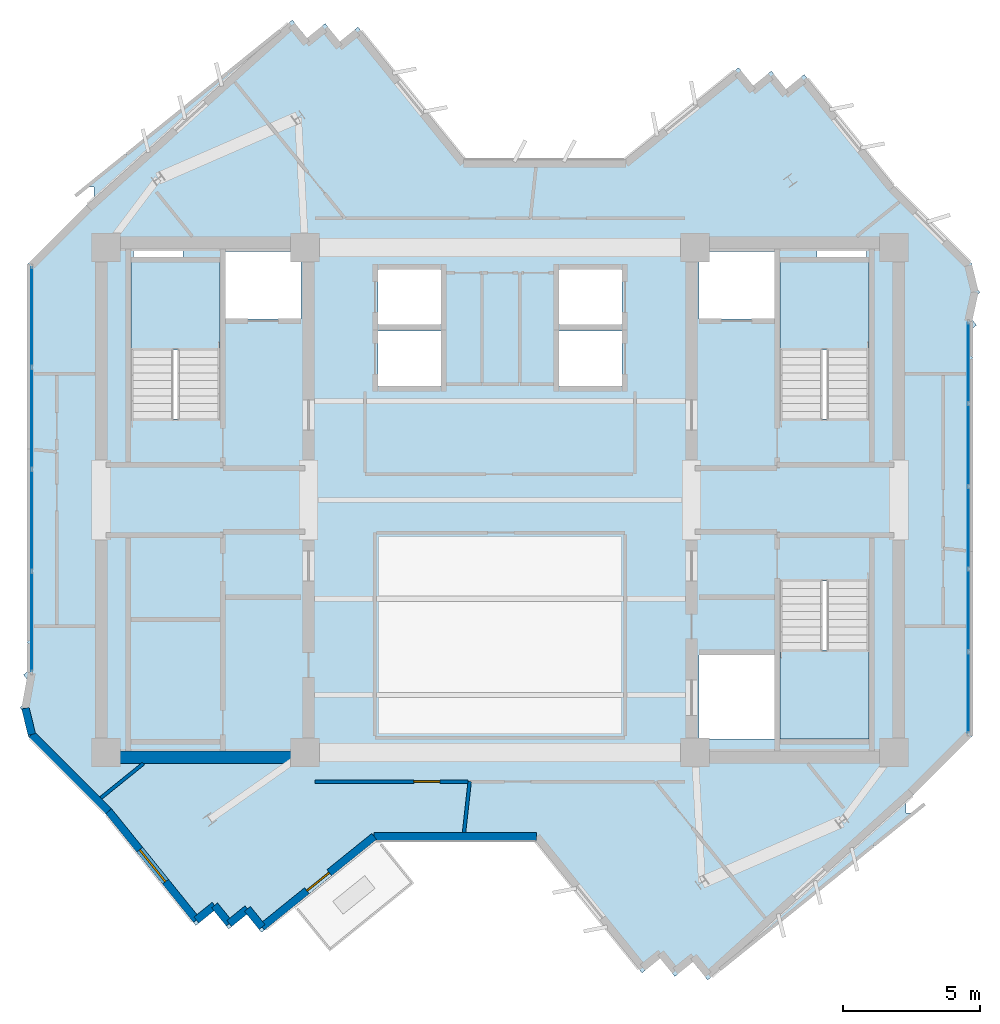
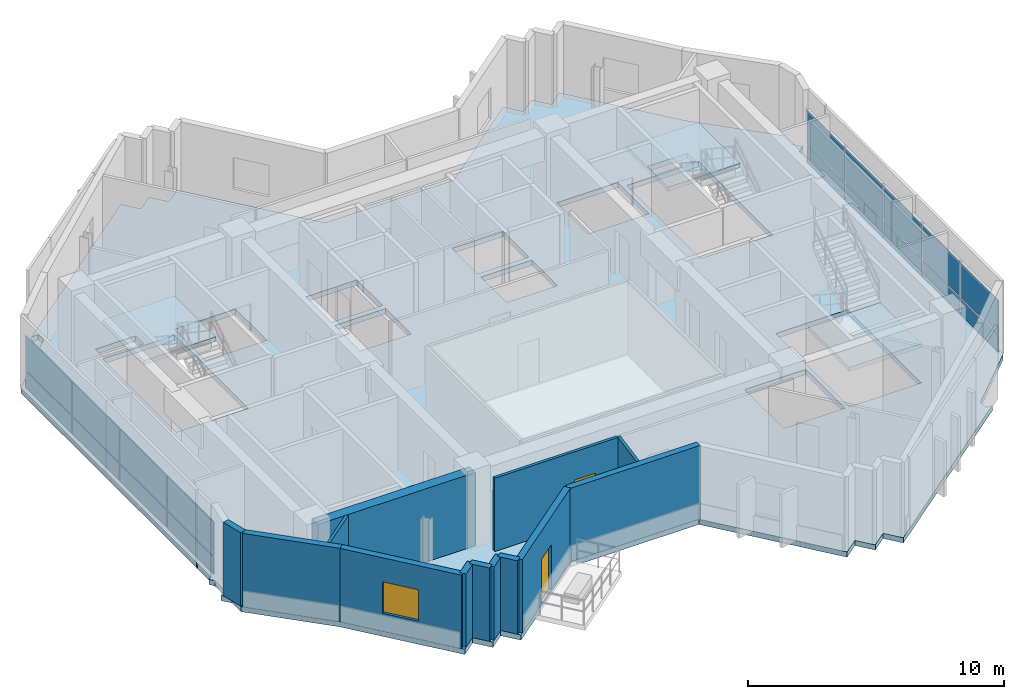
# One storey, part 5 of 11: 18 plates, 13 walls, 4 slabs, 2 doors, 1 window, 3 openings, 5 elements without a shape of their own.
"""IFC4 building model written with IfcOpenShell, lengths in metres."""

from ifc_helpers import new_model, si_unit, direction, frame, frame_2d, origin, origin_2d, place, context, subcontext, project, spatial, polyline, rectangle, outline, extrude, source, transform, mapped, material, layer, layer_set, type_object, element, fill, aggregate, save


model = new_model("IFC4")

# Units and contexts
model_context = context("Model", 3, precision=1e-05, world=origin(), true_north=direction((0.0, 1.0)))
body_context = subcontext(model_context, "Body", "Model", "MODEL_VIEW")
ifc_project = project(units=[si_unit("LENGTHUNIT", "METRE"), si_unit("AREAUNIT", "SQUARE_METRE"), si_unit("VOLUMEUNIT", "CUBIC_METRE"), si_unit("PLANEANGLEUNIT", "RADIAN"), si_unit("MASSUNIT", "GRAM", prefix="KILO")], contexts=[model_context])

# Site, building, storey
site_placement = place(None, origin())
site = spatial("IfcSite", under=ifc_project, at=site_placement, CompositionType="ELEMENT")
building_placement = place(site_placement, origin())
building = spatial("IfcBuilding", under=site, at=building_placement, Name="Zahravan Cultural Tower", CompositionType="ELEMENT")
storey_placement = place(building_placement, frame((0.0, 0.0, 284.10009765625)))
storey = spatial("IfcBuildingStorey", under=building, at=storey_placement, Name="L68", CompositionType="ELEMENT", Elevation=284.10009765625)

# Stair, slab
ifc_material_1 = material(Name="Concrete C45/55", Category="concrete")
stair_type = type_object("IfcStairType", Name="STR-DL-1550-375", PredefinedType="HALF_TURN_STAIR", material=ifc_material_1)
stair_1_placement = place(storey_placement, origin())
stair_1 = element("IfcStair", 1, at=stair_1_placement, inside=storey, type_object=stair_type, Name="L68 West Core North Exit Stair ST-W1", PredefinedType="HALF_TURN_STAIR")
ifc_layer_1 = layer(ifc_material_1, 0.199951171875)
ifc_layer_set_1 = layer_set([ifc_layer_1], Name="Concrete C45/55")
slab_type_1 = type_object("IfcSlabType", Name="SL-STAIR-LND200", PredefinedType="LANDING", material=ifc_layer_set_1)
slab_1_placement = place(storey_placement, frame((0.0, 0.0, 1.6748046875)))
slab_1 = element("IfcSlab", 2, at=slab_1_placement, type_object=slab_type_1, Name="ST-W1 landing 1", PredefinedType="LANDING", context=body_context, shape_type="SweptSolid", body=[
    extrude(outline(polyline([(25.800048828125, 32.469970703125), (25.800048828125, 35.699951171875), (22.550048828125, 35.699951171875), (22.550048828125, 32.469970703125), (25.800048828125, 32.469970703125)])), origin(), (0.0, 0.0, 1.0), 0.2001953125),
])
aggregate(stair_1, [slab_1])

stair_2_placement = place(storey_placement, origin())
stair_2 = element("IfcStair", 3, at=stair_2_placement, inside=storey, type_object=stair_type, Name="L68 East Core North Exit Stair ST-E1", PredefinedType="HALF_TURN_STAIR")
slab_2_placement = place(storey_placement, frame((0.0, 0.0, 1.6748046875)))
slab_2 = element("IfcSlab", 4, at=slab_2_placement, type_object=slab_type_1, Name="ST-E1 landing 1", PredefinedType="LANDING", context=body_context, shape_type="SweptSolid", body=[
    extrude(outline(polyline([(49.449951171875, 32.469970703125), (49.449951171875, 35.699951171875), (46.199951171875, 35.699951171875), (46.199951171875, 32.469970703125), (49.449951171875, 32.469970703125)])), origin(), (0.0, 0.0, 1.0), 0.2001953125),
])
aggregate(stair_2, [slab_2])

stair_3_placement = place(storey_placement, origin())
stair_3 = element("IfcStair", 5, at=stair_3_placement, inside=storey, type_object=stair_type, Name="L68 East Core South Exit Stair ST-E2", PredefinedType="HALF_TURN_STAIR")
slab_3_placement = place(storey_placement, frame((0.0, 0.0, 1.6748046875)))
slab_3 = element("IfcSlab", 6, at=slab_3_placement, type_object=slab_type_1, Name="ST-E2 landing 1", PredefinedType="LANDING", context=body_context, shape_type="SweptSolid", body=[
    extrude(outline(polyline([(46.199951171875, 21.530029296875), (46.199951171875, 18.300048828125), (49.449951171875, 18.300048828125), (49.449951171875, 21.530029296875), (46.199951171875, 21.530029296875)])), origin(), (0.0, 0.0, 1.0), 0.2001953125),
])
aggregate(stair_3, [slab_3])

# Slab
ifc_material_2 = material(Name="Concrete C40/50", Category="concrete")
ifc_layer_2 = layer(ifc_material_2, 0.25)
ifc_layer_set_2 = layer_set([ifc_layer_2], Name="Concrete C40/50")
slab_type_2 = type_object("IfcSlabType", Name="SL-TYP-250", PredefinedType="FLOOR", material=ifc_layer_set_2)
slab_4_placement = place(storey_placement, frame((0.0, 0.0, -0.25)))
element("IfcSlab", 7, at=slab_4_placement, inside=storey, type_object=slab_type_2, Name="L68 Structural Floor Slab", PredefinedType="FLOOR", context=body_context, shape_type="SweptSolid", body=[
    extrude(outline(polyline([(20.892822265625, 38.39990234375), (21.199951171875, 38.39990234375), (21.199951171875, 37.974609375), (20.939697265625, 37.739501953125), (18.800048828125, 35.60009765625), (18.800048828125, 21.852783203125), (18.765869140625, 21.8251953125), (18.800048828125, 21.78271484375), (18.800048828125, 20.76025390625), (18.638427734375, 20.6298828125), (18.800048828125, 20.4296875), (18.800048828125, 19.667724609375), (18.510986328125, 19.4345703125), (18.800048828125, 19.07666015625), (18.800048828125, 18.39990234375), (21.635986328125, 15.56396484375), (24.918701171875, 11.498291015625), (25.579833984375, 12.0322265625), (26.114013671875, 11.370849609375), (26.775146484375, 11.90478515625), (27.30908203125, 11.243408203125), (31.466552734375, 14.60009765625), (37.271728515625, 14.60009765625), (41.1748046875, 9.765869140625), (41.836181640625, 10.2998046875), (42.3701171875, 9.638427734375), (43.031494140625, 10.17236328125), (43.5654296875, 9.510986328125), (51.107177734375, 15.60009765625), (50.800048828125, 15.60009765625), (50.800048828125, 16.025390625), (51.060302734375, 16.260498046875), (53.199951171875, 18.39990234375), (53.199951171875, 32.147216796875), (53.234130859375, 32.1748046875), (53.199951171875, 32.21728515625), (53.199951171875, 33.23974609375), (53.361572265625, 33.3701171875), (53.199951171875, 33.5703125), (53.199951171875, 34.332275390625), (53.489013671875, 34.5654296875), (53.199951171875, 34.92333984375), (53.199951171875, 35.60009765625), (50.364013671875, 38.43603515625), (47.081298828125, 42.501708984375), (46.420166015625, 41.9677734375), (45.885986328125, 42.629150390625), (45.224853515625, 42.09521484375), (44.69091796875, 42.756591796875), (40.533447265625, 39.39990234375), (34.728271484375, 39.39990234375), (30.8251953125, 44.234130859375), (30.163818359375, 43.7001953125), (29.6298828125, 44.361572265625), (28.968505859375, 43.82763671875), (28.4345703125, 44.489013671875), (20.892822265625, 38.39990234375)]), holes=[polyline([(22.550048828125, 29.949951171875), (22.550048828125, 35.699951171875), (25.800048828125, 35.699951171875), (25.800048828125, 29.949951171875), (22.550048828125, 29.949951171875)]), polyline([(46.199951171875, 29.949951171875), (46.199951171875, 35.699951171875), (49.449951171875, 35.699951171875), (49.449951171875, 29.949951171875), (46.199951171875, 29.949951171875)]), polyline([(46.199951171875, 18.300048828125), (46.199951171875, 24.050048828125), (49.449951171875, 24.050048828125), (49.449951171875, 18.300048828125), (46.199951171875, 18.300048828125)]), polyline([(26.0, 33.60009765625), (26.0, 36.050048828125), (28.75, 36.050048828125), (28.75, 33.60009765625), (26.0, 33.60009765625)]), polyline([(43.25, 33.60009765625), (43.25, 36.050048828125), (46.0, 36.050048828125), (46.0, 33.60009765625), (43.25, 33.60009765625)]), polyline([(43.25, 18.300048828125), (43.25, 21.35009765625), (46.0, 21.35009765625), (46.0, 18.300048828125), (43.25, 18.300048828125)]), polyline([(31.550048828125, 33.39990234375), (31.550048828125, 35.39990234375), (33.85009765625, 35.39990234375), (33.85009765625, 33.39990234375), (31.550048828125, 33.39990234375)]), polyline([(31.550048828125, 31.14990234375), (31.550048828125, 33.14990234375), (33.85009765625, 33.14990234375), (33.85009765625, 31.14990234375), (31.550048828125, 31.14990234375)]), polyline([(38.14990234375, 33.39990234375), (38.14990234375, 35.39990234375), (40.449951171875, 35.39990234375), (40.449951171875, 33.39990234375), (38.14990234375, 33.39990234375)]), polyline([(38.14990234375, 31.14990234375), (38.14990234375, 33.14990234375), (40.449951171875, 33.14990234375), (40.449951171875, 31.14990234375), (38.14990234375, 31.14990234375)]), polyline([(22.64990234375, 35.800048828125), (22.64990234375, 36.419921875), (24.449951171875, 36.419921875), (24.449951171875, 35.800048828125), (22.64990234375, 35.800048828125)]), polyline([(47.550048828125, 35.800048828125), (47.550048828125, 36.419921875), (49.35009765625, 36.419921875), (49.35009765625, 35.800048828125), (47.550048828125, 35.800048828125)])]), origin(), (0.0, 0.0, 1.0), 0.25),
])

# Curtain wall, plates
ifc_material_3 = material(Name="Anodised bronze-aluminium mullion", Category="aluminium")
ifc_layer_3 = layer(ifc_material_3, 0.179931640625)
ifc_layer_set_3 = layer_set([ifc_layer_3], Name="Anodised bronze-aluminium mullion")
curtain_wall_type_1 = type_object("IfcCurtainWallType", Name="CW-SYS-3", PredefinedType="USERDEFINED", material=ifc_layer_set_3)
curtain_wall_1_placement = place(storey_placement, origin())
curtain_wall_1 = element("IfcCurtainWall", 8, at=curtain_wall_1_placement, inside=storey, type_object=curtain_wall_type_1, Name="L68 Recessed Curtain Wall CW-3.1", ObjectType="RECESSED GLAZING", PredefinedType="USERDEFINED")
ifc_material_4 = material(Name="Low-E solar-control double glazing", Category="glass")
ifc_layer_4 = layer(ifc_material_4, 0.028076171875)
ifc_layer_set_4 = layer_set([ifc_layer_4], Name="Low-E solar-control double glazing")
plate_type_1 = type_object("IfcPlateType", Name="CWP-CW-3", PredefinedType="CURTAIN_PANEL", material=ifc_layer_set_4)
shared_shape_1 = source(origin(), body_context, "Body", "SweptSolid", [
    extrude(rectangle(XDim=3.607177734375, YDim=0.028076171875, at=origin_2d()), origin(), (0.0, 0.0, 1.0), 0.794921875),
])
plate_1_placement = place(storey_placement, frame((18.93994140625, 22.56689453125, 0.06982421875), z_axis=(0.0, 0.0, 1.0), x_axis=(0.0, 1.0, 0.0)))
plate_1 = element("IfcPlate", 9, at=plate_1_placement, type_object=plate_type_1, Name="CW-3 panel 1.1", PredefinedType="CURTAIN_PANEL", context=body_context, shape_type="MappedRepresentation", body=[
    mapped(shared_shape_1, transform((0.0, 0.0, 0.0), x_axis=(1.0, 0.0, 0.0), y_axis=(0.0, 1.0, 0.0), z_axis=(0.0, 0.0, 1.0), scale=1.0)),
])
plate_2_placement = place(storey_placement, frame((18.93994140625, 33.66845703125, 0.06982421875), z_axis=(0.0, 0.0, 1.0), x_axis=(0.0, 1.0, 0.0)))
plate_2 = element("IfcPlate", 10, at=plate_2_placement, type_object=plate_type_1, Name="CW-3 panel 4.1", PredefinedType="CURTAIN_PANEL", context=body_context, shape_type="MappedRepresentation", body=[
    mapped(shared_shape_1, transform((0.0, 0.0, 0.0), x_axis=(1.0, 0.0, 0.0), y_axis=(0.0, 1.0, 0.0), z_axis=(0.0, 0.0, 1.0), scale=1.0)),
])
shared_shape_2 = source(origin(), body_context, "Body", "SweptSolid", [
    extrude(rectangle(XDim=3.607177734375, YDim=0.028076171875, at=origin_2d()), origin(), (0.0, 0.0, 1.0), 1.614990234375),
])
plate_3_placement = place(storey_placement, frame((18.93994140625, 22.56689453125, 0.93505859375), z_axis=(0.0, 0.0, 1.0), x_axis=(0.0, 1.0, 0.0)))
plate_3 = element("IfcPlate", 11, at=plate_3_placement, type_object=plate_type_1, Name="CW-3 panel 1.2", PredefinedType="CURTAIN_PANEL", context=body_context, shape_type="MappedRepresentation", body=[
    mapped(shared_shape_2, transform((0.0, 0.0, 0.0), x_axis=(1.0, 0.0, 0.0), y_axis=(0.0, 1.0, 0.0), z_axis=(0.0, 0.0, 1.0), scale=1.0)),
])
plate_4_placement = place(storey_placement, frame((18.93994140625, 33.66845703125, 0.93505859375), z_axis=(0.0, 0.0, 1.0), x_axis=(0.0, 1.0, 0.0)))
plate_4 = element("IfcPlate", 12, at=plate_4_placement, type_object=plate_type_1, Name="CW-3 panel 4.2", PredefinedType="CURTAIN_PANEL", context=body_context, shape_type="MappedRepresentation", body=[
    mapped(shared_shape_2, transform((0.0, 0.0, 0.0), x_axis=(1.0, 0.0, 0.0), y_axis=(0.0, 1.0, 0.0), z_axis=(0.0, 0.0, 1.0), scale=1.0)),
])
shared_shape_3 = source(origin(), body_context, "Body", "SweptSolid", [
    extrude(rectangle(XDim=3.64208984375, YDim=0.028076171875, at=origin_2d()), origin(), (0.0, 0.0, 1.0), 0.794921875),
])
plate_5_placement = place(storey_placement, frame((18.93994140625, 26.26171875, 0.06982421875), z_axis=(0.0, 0.0, 1.0), x_axis=(0.0, 1.0, 0.0)))
plate_5 = element("IfcPlate", 13, at=plate_5_placement, type_object=plate_type_1, Name="CW-3 panel 2.1", PredefinedType="CURTAIN_PANEL", context=body_context, shape_type="MappedRepresentation", body=[
    mapped(shared_shape_3, transform((0.0, 0.0, 0.0), x_axis=(1.0, 0.0, 0.0), y_axis=(0.0, 1.0, 0.0), z_axis=(0.0, 0.0, 1.0), scale=1.0)),
])
plate_6_placement = place(storey_placement, frame((18.93994140625, 29.973876953125, 0.06982421875), z_axis=(0.0, 0.0, 1.0), x_axis=(0.0, 1.0, 0.0)))
plate_6 = element("IfcPlate", 14, at=plate_6_placement, type_object=plate_type_1, Name="CW-3 panel 3.1", PredefinedType="CURTAIN_PANEL", context=body_context, shape_type="MappedRepresentation", body=[
    mapped(shared_shape_3, transform((0.0, 0.0, 0.0), x_axis=(1.0, 0.0, 0.0), y_axis=(0.0, 1.0, 0.0), z_axis=(0.0, 0.0, 1.0), scale=1.0)),
])
shared_shape_4 = source(origin(), body_context, "Body", "SweptSolid", [
    extrude(rectangle(XDim=3.64208984375, YDim=0.028076171875, at=origin_2d()), origin(), (0.0, 0.0, 1.0), 1.614990234375),
])
plate_7_placement = place(storey_placement, frame((18.93994140625, 26.26171875, 0.93505859375), z_axis=(0.0, 0.0, 1.0), x_axis=(0.0, 1.0, 0.0)))
plate_7 = element("IfcPlate", 15, at=plate_7_placement, type_object=plate_type_1, Name="CW-3 panel 2.2", PredefinedType="CURTAIN_PANEL", context=body_context, shape_type="MappedRepresentation", body=[
    mapped(shared_shape_4, transform((0.0, 0.0, 0.0), x_axis=(1.0, 0.0, 0.0), y_axis=(0.0, 1.0, 0.0), z_axis=(0.0, 0.0, 1.0), scale=1.0)),
])
plate_8_placement = place(storey_placement, frame((18.93994140625, 29.973876953125, 0.93505859375), z_axis=(0.0, 0.0, 1.0), x_axis=(0.0, 1.0, 0.0)))
plate_8 = element("IfcPlate", 16, at=plate_8_placement, type_object=plate_type_1, Name="CW-3 panel 3.2", PredefinedType="CURTAIN_PANEL", context=body_context, shape_type="MappedRepresentation", body=[
    mapped(shared_shape_4, transform((0.0, 0.0, 0.0), x_axis=(1.0, 0.0, 0.0), y_axis=(0.0, 1.0, 0.0), z_axis=(0.0, 0.0, 1.0), scale=1.0)),
])
aggregate(curtain_wall_1, [plate_1, plate_3, plate_5, plate_7, plate_6, plate_8, plate_2, plate_4])

ifc_layer_5 = layer(ifc_material_3, 0.1650390625)
ifc_layer_set_5 = layer_set([ifc_layer_5], Name="Anodised bronze-aluminium mullion")
curtain_wall_type_2 = type_object("IfcCurtainWallType", Name="CW-SYS-4", PredefinedType="USERDEFINED", material=ifc_layer_set_5)
curtain_wall_2_placement = place(storey_placement, origin())
curtain_wall_2 = element("IfcCurtainWall", 17, at=curtain_wall_2_placement, inside=storey, type_object=curtain_wall_type_2, Name="L68 Recessed Curtain Wall CW-4.2", ObjectType="RECESSED GLAZING", PredefinedType="USERDEFINED")
ifc_layer_6 = layer(ifc_material_4, 0.02587890625)
ifc_layer_set_6 = layer_set([ifc_layer_6], Name="Low-E solar-control double glazing")
plate_type_2 = type_object("IfcPlateType", Name="CWP-CW-4", PredefinedType="CURTAIN_PANEL", material=ifc_layer_set_6)
shared_shape_5 = source(origin(), body_context, "Body", "SweptSolid", [
    extrude(rectangle(XDim=2.9150390625, YDim=0.02587890625, at=origin_2d()), origin(), (0.0, 0.0, 1.0), 0.802490234375),
])
plate_9_placement = place(storey_placement, frame((53.06005859375, 31.998291015625, 0.06494140625), z_axis=(0.0, 0.0, 1.0), x_axis=(0.0, -1.0, 0.0)))
plate_9 = element("IfcPlate", 18, at=plate_9_placement, type_object=plate_type_2, Name="CW-4 panel 1.1", PredefinedType="CURTAIN_PANEL", context=body_context, shape_type="MappedRepresentation", body=[
    mapped(shared_shape_5, transform((0.0, 0.0, 0.0), x_axis=(1.0, 0.0, 0.0), y_axis=(0.0, 1.0, 0.0), z_axis=(0.0, 0.0, 1.0), scale=1.0)),
])
plate_10_placement = place(storey_placement, frame((53.06005859375, 19.98046875, 0.06494140625), z_axis=(0.0, 0.0, 1.0), x_axis=(0.0, -1.0, 0.0)))
plate_10 = element("IfcPlate", 19, at=plate_10_placement, type_object=plate_type_2, Name="CW-4 panel 5.1", PredefinedType="CURTAIN_PANEL", context=body_context, shape_type="MappedRepresentation", body=[
    mapped(shared_shape_5, transform((0.0, 0.0, 0.0), x_axis=(1.0, 0.0, 0.0), y_axis=(0.0, 1.0, 0.0), z_axis=(0.0, 0.0, 1.0), scale=1.0)),
])
shared_shape_6 = source(origin(), body_context, "Body", "SweptSolid", [
    extrude(rectangle(XDim=2.9150390625, YDim=0.02587890625, at=origin_2d()), origin(), (0.0, 0.0, 1.0), 1.62255859375),
])
plate_11_placement = place(storey_placement, frame((53.06005859375, 31.998291015625, 0.932373046875), z_axis=(0.0, 0.0, 1.0), x_axis=(0.0, -1.0, 0.0)))
plate_11 = element("IfcPlate", 20, at=plate_11_placement, type_object=plate_type_2, Name="CW-4 panel 1.2", PredefinedType="CURTAIN_PANEL", context=body_context, shape_type="MappedRepresentation", body=[
    mapped(shared_shape_6, transform((0.0, 0.0, 0.0), x_axis=(1.0, 0.0, 0.0), y_axis=(0.0, 1.0, 0.0), z_axis=(0.0, 0.0, 1.0), scale=1.0)),
])
plate_12_placement = place(storey_placement, frame((53.06005859375, 19.98046875, 0.932373046875), z_axis=(0.0, 0.0, 1.0), x_axis=(0.0, -1.0, 0.0)))
plate_12 = element("IfcPlate", 21, at=plate_12_placement, type_object=plate_type_2, Name="CW-4 panel 5.2", PredefinedType="CURTAIN_PANEL", context=body_context, shape_type="MappedRepresentation", body=[
    mapped(shared_shape_6, transform((0.0, 0.0, 0.0), x_axis=(1.0, 0.0, 0.0), y_axis=(0.0, 1.0, 0.0), z_axis=(0.0, 0.0, 1.0), scale=1.0)),
])
shared_shape_7 = source(origin(), body_context, "Body", "SweptSolid", [
    extrude(rectangle(XDim=2.947509765625, YDim=0.02587890625, at=origin_2d()), origin(), (0.0, 0.0, 1.0), 0.802490234375),
])
plate_13_placement = place(storey_placement, frame((53.06005859375, 29.001953125, 0.06494140625), z_axis=(0.0, 0.0, 1.0), x_axis=(0.0, -1.0, 0.0)))
plate_13 = element("IfcPlate", 22, at=plate_13_placement, type_object=plate_type_2, Name="CW-4 panel 2.1", PredefinedType="CURTAIN_PANEL", context=body_context, shape_type="MappedRepresentation", body=[
    mapped(shared_shape_7, transform((0.0, 0.0, 0.0), x_axis=(1.0, 0.0, 0.0), y_axis=(0.0, 1.0, 0.0), z_axis=(0.0, 0.0, 1.0), scale=1.0)),
])
plate_14_placement = place(storey_placement, frame((53.06005859375, 25.989501953125, 0.06494140625), z_axis=(0.0, 0.0, 1.0), x_axis=(0.0, -1.0, 0.0)))
plate_14 = element("IfcPlate", 23, at=plate_14_placement, type_object=plate_type_2, Name="CW-4 panel 3.1", PredefinedType="CURTAIN_PANEL", context=body_context, shape_type="MappedRepresentation", body=[
    mapped(shared_shape_7, transform((0.0, 0.0, 0.0), x_axis=(1.0, 0.0, 0.0), y_axis=(0.0, 1.0, 0.0), z_axis=(0.0, 0.0, 1.0), scale=1.0)),
])
plate_15_placement = place(storey_placement, frame((53.06005859375, 22.976806640625, 0.06494140625), z_axis=(0.0, 0.0, 1.0), x_axis=(0.0, -1.0, 0.0)))
plate_15 = element("IfcPlate", 24, at=plate_15_placement, type_object=plate_type_2, Name="CW-4 panel 4.1", PredefinedType="CURTAIN_PANEL", context=body_context, shape_type="MappedRepresentation", body=[
    mapped(shared_shape_7, transform((0.0, 0.0, 0.0), x_axis=(1.0, 0.0, 0.0), y_axis=(0.0, 1.0, 0.0), z_axis=(0.0, 0.0, 1.0), scale=1.0)),
])
shared_shape_8 = source(origin(), body_context, "Body", "SweptSolid", [
    extrude(rectangle(XDim=2.947509765625, YDim=0.02587890625, at=origin_2d()), origin(), (0.0, 0.0, 1.0), 1.62255859375),
])
plate_16_placement = place(storey_placement, frame((53.06005859375, 29.001953125, 0.932373046875), z_axis=(0.0, 0.0, 1.0), x_axis=(0.0, -1.0, 0.0)))
plate_16 = element("IfcPlate", 25, at=plate_16_placement, type_object=plate_type_2, Name="CW-4 panel 2.2", PredefinedType="CURTAIN_PANEL", context=body_context, shape_type="MappedRepresentation", body=[
    mapped(shared_shape_8, transform((0.0, 0.0, 0.0), x_axis=(1.0, 0.0, 0.0), y_axis=(0.0, 1.0, 0.0), z_axis=(0.0, 0.0, 1.0), scale=1.0)),
])
plate_17_placement = place(storey_placement, frame((53.06005859375, 25.989501953125, 0.932373046875), z_axis=(0.0, 0.0, 1.0), x_axis=(0.0, -1.0, 0.0)))
plate_17 = element("IfcPlate", 26, at=plate_17_placement, type_object=plate_type_2, Name="CW-4 panel 3.2", PredefinedType="CURTAIN_PANEL", context=body_context, shape_type="MappedRepresentation", body=[
    mapped(shared_shape_8, transform((0.0, 0.0, 0.0), x_axis=(1.0, 0.0, 0.0), y_axis=(0.0, 1.0, 0.0), z_axis=(0.0, 0.0, 1.0), scale=1.0)),
])
plate_18_placement = place(storey_placement, frame((53.06005859375, 22.976806640625, 0.932373046875), z_axis=(0.0, 0.0, 1.0), x_axis=(0.0, -1.0, 0.0)))
plate_18 = element("IfcPlate", 27, at=plate_18_placement, type_object=plate_type_2, Name="CW-4 panel 4.2", PredefinedType="CURTAIN_PANEL", context=body_context, shape_type="MappedRepresentation", body=[
    mapped(shared_shape_8, transform((0.0, 0.0, 0.0), x_axis=(1.0, 0.0, 0.0), y_axis=(0.0, 1.0, 0.0), z_axis=(0.0, 0.0, 1.0), scale=1.0)),
])
aggregate(curtain_wall_2, [plate_9, plate_11, plate_13, plate_16, plate_14, plate_17, plate_15, plate_18, plate_10, plate_12])

# Wall, opening, door
ifc_material_5 = material(Name="Precast concrete C40/50", Category="concrete")
ifc_layer_7 = layer(ifc_material_5, 0.280029296875)
ifc_layer_set_7 = layer_set([ifc_layer_7], Name="Precast concrete C40/50")
wall_type_1 = type_object("IfcWallType", Name="EW-TC-280", PredefinedType="SOLIDWALL", material=ifc_layer_set_7)
wall_1_placement = place(storey_placement, frame((31.4169921875, 14.739990234375, 0.0), z_axis=(0.0, 0.0, 1.0), x_axis=(-0.778072238875, -0.628174809342, 0.0)))
wall_1 = element("IfcWall", 28, at=wall_1_placement, inside=storey, type_object=wall_type_1, Name="L68 Exterior Masonry Frame Wall 26", PredefinedType="SOLIDWALL", context=body_context, shape_type="SweptSolid", body=[
    extrude(rectangle(XDim=5.252685546875, YDim=0.280029296875, at=frame_2d((2.62646484375, 0.0))), origin(), (0.0, 0.0, 1.0), 3.5),
])
opening_1_placement = place(wall_1_placement, frame((2.10107421875, 0.0, 0.0)))
opening_1 = element("IfcOpeningElement", 29, at=opening_1_placement, cuts=wall_1, Name="Opening D-L68-TR-SW", PredefinedType="OPENING", context=body_context, shape_type="SweptSolid", body=[
    extrude(rectangle(XDim=1.050048828125, YDim=2.14990234375, at=frame_2d((0.52490234375, 1.074951171875))), frame((0.0, 0.14990234375, 0.0), z_axis=(0.0, -1.0, 0.0), x_axis=(1.0, 0.0, 0.0)), (0.0, 0.0, 1.0), 0.300048828125),
])
door_type_1 = type_object("IfcDoorType", Name="DR-TERR-1050", OperationType="NOTDEFINED", PredefinedType="DOOR", material=ifc_material_3)
shared_shape_9 = source(origin(), body_context, "Body", "SweptSolid", [
    extrude(rectangle(XDim=1.050048828125, YDim=2.14990234375, at=frame_2d((0.52490234375, 1.074951171875))), frame((0.0, 0.02490234375, 0.0), z_axis=(0.0, -1.0, 0.0), x_axis=(1.0, 0.0, 0.0)), (0.0, 0.0, 1.0), 0.050048828125),
])
door_1_placement = place(opening_1_placement, origin())
door_1 = element("IfcDoor", 30, at=door_1_placement, inside=storey, type_object=door_type_1, Name="L68 Terrace Access Door SW", OperationType="SINGLE_SWING_LEFT", OverallHeight=2.14990234375, OverallWidth=1.050048828125, PredefinedType="DOOR", context=body_context, shape_type="MappedRepresentation", body=[
    mapped(shared_shape_9, transform((0.0, 0.0, 0.0), x_axis=(1.0, 0.0, 0.0), y_axis=(0.0, 1.0, 0.0), z_axis=(0.0, 0.0, 1.0), scale=1.0)),
])
fill(opening_1, door_1)

# Wall, opening, window
wall_2_placement = place(storey_placement, frame((24.939697265625, 11.6953125, 0.0), z_axis=(0.0, 0.0, 1.0), x_axis=(-0.628225517447, 0.778031297075, 0.0)))
wall_2 = element("IfcWall", 31, at=wall_2_placement, inside=storey, type_object=wall_type_1, Name="L68 Exterior Masonry Frame Wall 31", PredefinedType="SOLIDWALL", context=body_context, shape_type="SweptSolid", body=[
    extrude(rectangle(XDim=5.0927734375, YDim=0.280029296875, at=frame_2d((2.54638671875, 0.0))), origin(), (0.0, 0.0, 1.0), 3.5),
])
opening_2_placement = place(wall_2_placement, frame((1.7958984375, 0.0, 0.85009765625)))
opening_2 = element("IfcOpeningElement", 32, at=opening_2_placement, cuts=wall_2, Name="Opening WN-03", PredefinedType="OPENING", context=body_context, shape_type="SweptSolid", body=[
    extrude(rectangle(XDim=1.5, YDim=1.5, at=frame_2d((0.75, 0.75))), frame((0.0, 0.14990234375, 0.0), z_axis=(0.0, -1.0, 0.0), x_axis=(1.0, 0.0, 0.0)), (0.0, 0.0, 1.0), 0.300048828125),
])
window_type = type_object("IfcWindowType", Name="WN-REC-1500X1500", PartitioningType="SINGLE_PANEL", PredefinedType="WINDOW", material=ifc_material_4)
shared_shape_10 = source(origin(), body_context, "Body", "SweptSolid", [
    extrude(rectangle(XDim=1.5, YDim=1.5, at=frame_2d((0.75, 0.75))), frame((0.0, 0.030029296875, 0.0), z_axis=(0.0, -1.0, 0.0), x_axis=(1.0, 0.0, 0.0)), (0.0, 0.0, 1.0), 0.06005859375),
])
window_placement = place(opening_2_placement, origin())
window = element("IfcWindow", 33, at=window_placement, inside=storey, type_object=window_type, Name="L68 Recessed Solar Window 08", OverallHeight=1.5, OverallWidth=1.5, PartitioningType="SINGLE_PANEL", PredefinedType="WINDOW", context=body_context, shape_type="MappedRepresentation", body=[
    mapped(shared_shape_10, transform((0.0, 0.0, 0.0), x_axis=(1.0, 0.0, 0.0), y_axis=(0.0, 1.0, 0.0), z_axis=(0.0, 0.0, 1.0), scale=1.0)),
])
fill(opening_2, window)

# Wall, opening, door
ifc_material_6 = material(Name="Gypsum plasterboard partition")
ifc_layer_8 = layer(ifc_material_6, 0.125)
ifc_layer_set_8 = layer_set([ifc_layer_8], Name="Gypsum plasterboard partition")
wall_type_2 = type_object("IfcWallType", Name="W-PART-125", PredefinedType="PARTITIONING", material=ifc_layer_set_8)
wall_3_placement = place(storey_placement, frame((29.257568359375, 16.740234375, 0.0), z_axis=(0.0, 0.0, 1.0), x_axis=(0.99999999904, -4.382505e-05, 0.0)))
wall_3 = element("IfcWall", 34, at=wall_3_placement, inside=storey, type_object=wall_type_2, Name="L68 Interior Wall 087", PredefinedType="PARTITIONING", context=body_context, shape_type="SweptSolid", body=[
    extrude(rectangle(XDim=5.57080078125, YDim=0.125, at=frame_2d((2.785400390625, 0.0))), origin(), (0.0, 0.0, 1.0), 3.5),
])
opening_3_placement = place(wall_3_placement, frame((3.604248046875, 0.0, 0.0)))
opening_3 = element("IfcOpeningElement", 35, at=opening_3_placement, cuts=wall_3, Name="Opening D-L68-22", PredefinedType="OPENING", context=body_context, shape_type="SweptSolid", body=[
    extrude(rectangle(XDim=0.949951171875, YDim=2.14990234375, at=frame_2d((0.47509765625, 1.074951171875))), frame((0.0, 0.072509765625, 0.0), z_axis=(0.0, -1.0, 0.0), x_axis=(1.0, 0.0, 0.0)), (0.0, 0.0, 1.0), 0.14501953125),
])
door_type_2 = type_object("IfcDoorType", Name="DR-ROOM-950", OperationType="NOTDEFINED", PredefinedType="DOOR", material=ifc_material_3)
shared_shape_11 = source(origin(), body_context, "Body", "SweptSolid", [
    extrude(rectangle(XDim=0.949951171875, YDim=2.14990234375, at=frame_2d((0.47509765625, 1.074951171875))), frame((0.0, 0.02490234375, 0.0), z_axis=(0.0, -1.0, 0.0), x_axis=(1.0, 0.0, 0.0)), (0.0, 0.0, 1.0), 0.050048828125),
])
door_2_placement = place(opening_3_placement, origin())
door_2 = element("IfcDoor", 36, at=door_2_placement, inside=storey, type_object=door_type_2, Name="L68 Door D-L68-22", OperationType="SINGLE_SWING_LEFT", OverallHeight=2.14990234375, OverallWidth=0.949951171875, PredefinedType="DOOR", context=body_context, shape_type="MappedRepresentation", body=[
    mapped(shared_shape_11, transform((0.0, 0.0, 0.0), x_axis=(1.0, 0.0, 0.0), y_axis=(0.0, 1.0, 0.0), z_axis=(0.0, 0.0, 1.0), scale=1.0)),
])
fill(opening_3, door_2)

# Walls
ifc_material_7 = material(Name="Concrete C50/60", Category="concrete")
ifc_layer_9 = layer(ifc_material_7, 0.449951171875)
ifc_layer_set_9 = layer_set([ifc_layer_9], Name="Concrete C50/60")
wall_type_3 = type_object("IfcWallType", Name="CW-SHEAR-450-C50", PredefinedType="SHEAR", material=ifc_layer_set_9)
shared_shape_12 = source(origin(), body_context, "Body", "SweptSolid", [
    extrude(rectangle(XDim=7.10009765625, YDim=0.449951171875, at=frame_2d((3.550048828125, 0.0))), origin(), (0.0, 0.0, 1.0), 3.5),
])
wall_4_placement = place(storey_placement, frame((21.699951171875, 17.625, 0.0), z_axis=(0.0, 0.0, 1.0), x_axis=(1.0, 0.0, 0.0)))
element("IfcWall", 37, at=wall_4_placement, inside=storey, type_object=wall_type_3, Name="L68 Core Shear Wall CW-W-S-L68", PredefinedType="SHEAR", context=body_context, shape_type="MappedRepresentation", body=[
    mapped(shared_shape_12, transform((0.0, 0.0, 0.0), x_axis=(1.0, 0.0, 0.0), y_axis=(0.0, 1.0, 0.0), z_axis=(0.0, 0.0, 1.0), scale=1.0)),
])
shared_shape_13 = source(origin(), body_context, "Body", "SweptSolid", [
    extrude(rectangle(XDim=0.85009765625, YDim=0.280029296875, at=frame_2d((0.425048828125, 0.0))), origin(), (0.0, 0.0, 1.0), 3.5),
])
for number, where, z_axis, x_axis, name in (
    (38, (27.330078125, 11.4404296875, 0.0), (0.0, 0.0, 1.0), (-0.628156579423, 0.778086956405, 0.0), "L68 Exterior Masonry Frame Wall 27"),
    (39, (26.135009765625, 11.56787109375, 0.0), (0.0, 0.0, 1.0), (-0.628330422687, 0.777946579095, 0.0), "L68 Exterior Masonry Frame Wall 29"),
):
    element("IfcWall", number, at=place(storey_placement, frame(where, z_axis=z_axis, x_axis=x_axis)), inside=storey, type_object=wall_type_1, Name=name, PredefinedType="SOLIDWALL", context=body_context, shape_type="MappedRepresentation", body=[
        mapped(shared_shape_13, transform((0.0, 0.0, 0.0), x_axis=(1.0, 0.0, 0.0), y_axis=(0.0, 1.0, 0.0), z_axis=(0.0, 0.0, 1.0), scale=1.0)),
    ])
shared_shape_14 = source(origin(), body_context, "Body", "SweptSolid", [
    extrude(rectangle(XDim=0.849853515625, YDim=0.280029296875, at=frame_2d((0.4248046875, 0.0))), origin(), (0.0, 0.0, 1.0), 3.5),
])
for number, where, z_axis, x_axis, name in (
    (40, (26.796142578125, 12.101806640625, 0.0), (0.0, 0.0, 1.0), (-0.777973585776, -0.628296983786, 0.0), "L68 Exterior Masonry Frame Wall 28"),
    (41, (25.600830078125, 12.229248046875, 0.0), (0.0, 0.0, 1.0), (-0.777973585776, -0.628296983786, 0.0), "L68 Exterior Masonry Frame Wall 30"),
):
    element("IfcWall", number, at=place(storey_placement, frame(where, z_axis=z_axis, x_axis=x_axis)), inside=storey, type_object=wall_type_1, Name=name, PredefinedType="SOLIDWALL", context=body_context, shape_type="MappedRepresentation", body=[
        mapped(shared_shape_14, transform((0.0, 0.0, 0.0), x_axis=(1.0, 0.0, 0.0), y_axis=(0.0, 1.0, 0.0), z_axis=(0.0, 0.0, 1.0), scale=1.0)),
    ])
shared_shape_15 = source(origin(), body_context, "Body", "SweptSolid", [
    extrude(rectangle(XDim=5.921630859375, YDim=0.280029296875, at=frame_2d((2.9609375, 0.0))), origin(), (0.0, 0.0, 1.0), 3.5),
])
wall_5_placement = place(storey_placement, frame((37.338623046875, 14.739990234375, 0.0), z_axis=(0.0, 0.0, 1.0), x_axis=(-1.0, 0.0, 0.0)))
element("IfcWall", 42, at=wall_5_placement, inside=storey, type_object=wall_type_1, Name="L68 Exterior Masonry Frame Wall 25", PredefinedType="SOLIDWALL", context=body_context, shape_type="MappedRepresentation", body=[
    mapped(shared_shape_15, transform((0.0, 0.0, 0.0), x_axis=(1.0, 0.0, 0.0), y_axis=(0.0, 1.0, 0.0), z_axis=(0.0, 0.0, 1.0), scale=1.0)),
])
shared_shape_16 = source(origin(), body_context, "Body", "SweptSolid", [
    extrude(rectangle(XDim=0.9833984375, YDim=0.280029296875, at=frame_2d((0.49169921875, 0.0))), origin(), (0.0, 0.0, 1.0), 3.5),
])
wall_6_placement = place(storey_placement, frame((18.93994140625, 18.4580078125, 0.0), z_axis=(0.0, 0.0, 1.0), x_axis=(-0.235870049888, 0.971784605541, 0.0)))
element("IfcWall", 43, at=wall_6_placement, inside=storey, type_object=wall_type_1, Name="L68 Exterior Masonry Frame Wall 33", PredefinedType="SOLIDWALL", context=body_context, shape_type="MappedRepresentation", body=[
    mapped(shared_shape_16, transform((0.0, 0.0, 0.0), x_axis=(1.0, 0.0, 0.0), y_axis=(0.0, 1.0, 0.0), z_axis=(0.0, 0.0, 1.0), scale=1.0)),
])
shared_shape_17 = source(origin(), body_context, "Body", "SweptSolid", [
    extrude(rectangle(XDim=3.960205078125, YDim=0.280029296875, at=frame_2d((1.97998046875, 0.0))), origin(), (0.0, 0.0, 1.0), 3.5),
])
wall_7_placement = place(storey_placement, frame((21.740234375, 15.65771484375, 0.0), z_axis=(0.0, 0.0, 1.0), x_axis=(-0.707106781187, 0.707106781187, 0.0)))
element("IfcWall", 44, at=wall_7_placement, inside=storey, type_object=wall_type_1, Name="L68 Exterior Masonry Frame Wall 32", PredefinedType="SOLIDWALL", context=body_context, shape_type="MappedRepresentation", body=[
    mapped(shared_shape_17, transform((0.0, 0.0, 0.0), x_axis=(1.0, 0.0, 0.0), y_axis=(0.0, 1.0, 0.0), z_axis=(0.0, 0.0, 1.0), scale=1.0)),
])
shared_shape_18 = source(origin(), body_context, "Body", "SweptSolid", [
    extrude(rectangle(XDim=1.989013671875, YDim=0.125, at=frame_2d((0.99462890625, 0.0))), origin(), (0.0, 0.0, 1.0), 3.5),
])
wall_8_placement = place(storey_placement, frame((23.005126953125, 17.39501953125, 0.0), z_axis=(0.0, 0.0, 1.0), x_axis=(-0.778058853423, -0.628191388519, 0.0)))
element("IfcWall", 45, at=wall_8_placement, inside=storey, type_object=wall_type_2, Name="L68 Interior Wall 051", PredefinedType="PARTITIONING", context=body_context, shape_type="MappedRepresentation", body=[
    mapped(shared_shape_18, transform((0.0, 0.0, 0.0), x_axis=(1.0, 0.0, 0.0), y_axis=(0.0, 1.0, 0.0), z_axis=(0.0, 0.0, 1.0), scale=1.0)),
])
shared_shape_19 = source(origin(), body_context, "Body", "SweptSolid", [
    extrude(rectangle(XDim=1.866455078125, YDim=0.125, at=frame_2d((0.93310546875, 0.0))), origin(), (0.0, 0.0, 1.0), 3.5),
])
wall_9_placement = place(storey_placement, frame((34.689697265625, 14.885009765625, 0.0), z_axis=(0.0, 0.0, 1.0), x_axis=(0.110661229882, 0.993858185156, 0.0)))
element("IfcWall", 46, at=wall_9_placement, inside=storey, type_object=wall_type_2, Name="L68 Interior Wall 085", PredefinedType="PARTITIONING", context=body_context, shape_type="MappedRepresentation", body=[
    mapped(shared_shape_19, transform((0.0, 0.0, 0.0), x_axis=(1.0, 0.0, 0.0), y_axis=(0.0, 1.0, 0.0), z_axis=(0.0, 0.0, 1.0), scale=1.0)),
])

save(model, "model.ifc")
